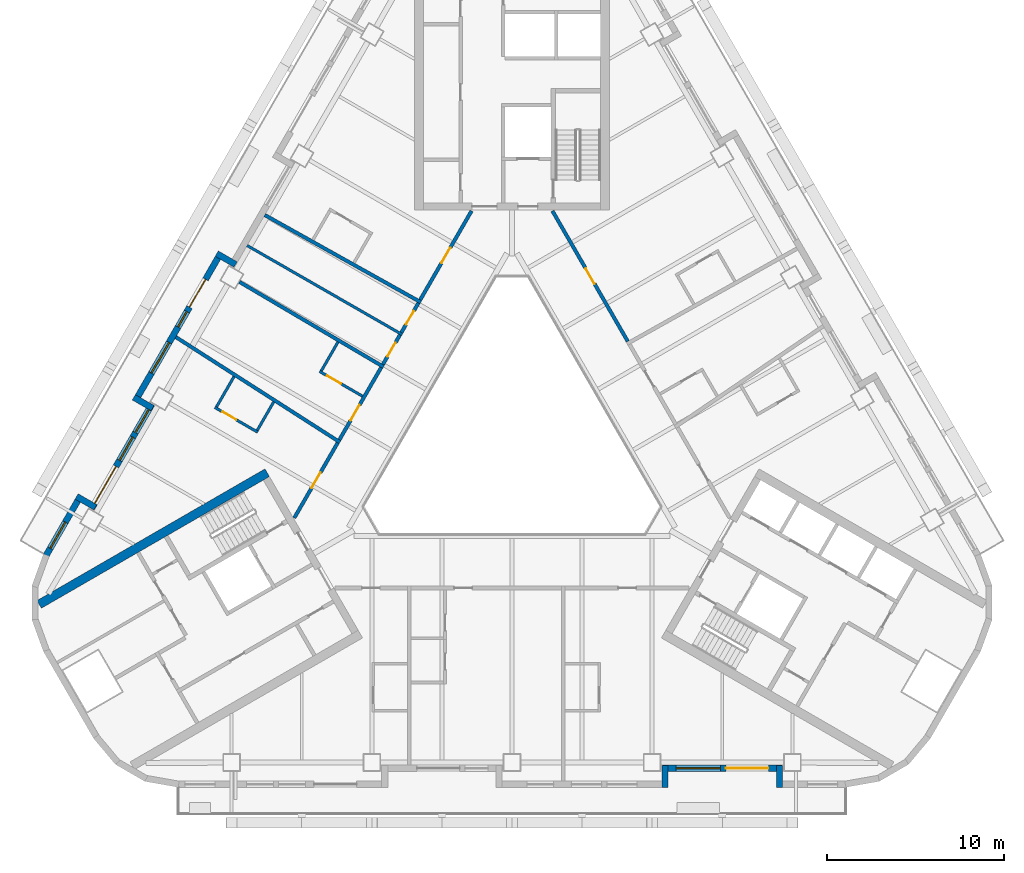
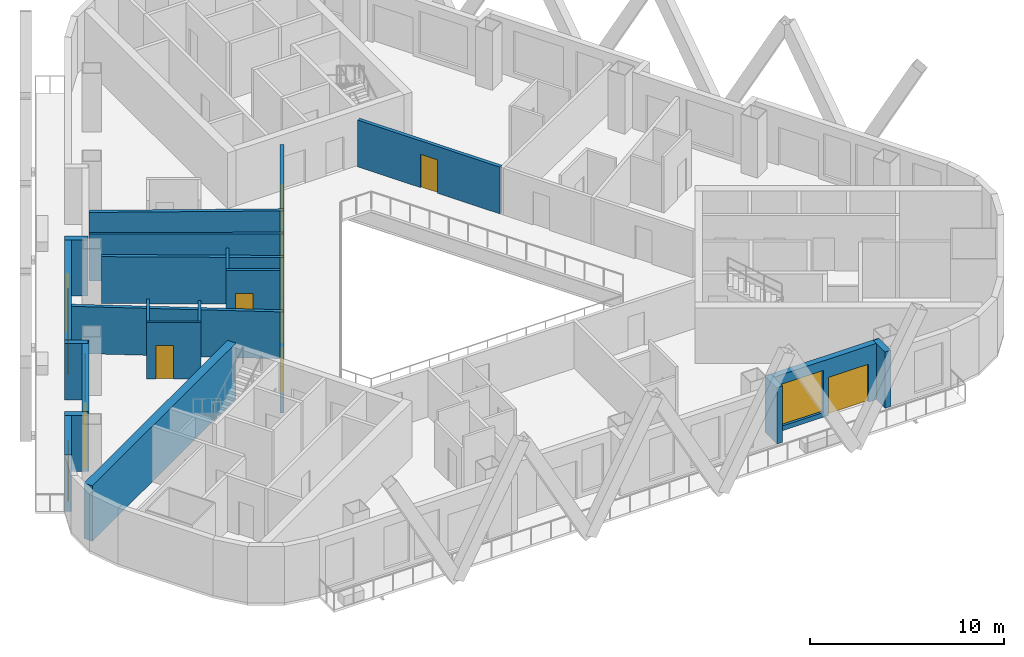
# One storey, part 4 of 14: 25 walls, 11 doors, 6 windows, 17 openings.
"""IFC4 building model written with IfcOpenShell, lengths in metres."""

from ifc_helpers import new_model, si_unit, direction, frame, frame_2d, origin, place, context, subcontext, project, spatial, rectangle, extrude, material, layer, layer_set, type_object, element, fill, save


model = new_model("IFC4")

# Units and contexts
model_context = context("Model", 3, precision=1e-05, world=origin(), true_north=direction((0.0, 1.0)))
body_context = subcontext(model_context, "Body", "Model", "MODEL_VIEW")
ifc_project = project(units=[si_unit("LENGTHUNIT", "METRE"), si_unit("AREAUNIT", "SQUARE_METRE"), si_unit("VOLUMEUNIT", "CUBIC_METRE"), si_unit("PLANEANGLEUNIT", "RADIAN"), si_unit("MASSUNIT", "GRAM", prefix="KILO")], contexts=[model_context])

# Site, building, storey
site_placement = place(None, origin())
site = spatial("IfcSite", under=ifc_project, at=site_placement, CompositionType="ELEMENT")
building_placement = place(site_placement, origin())
building = spatial("IfcBuilding", under=site, at=building_placement, Name="Apuvela Tower Hotel", CompositionType="ELEMENT")
storey_placement = place(building_placement, frame((0.0, 0.0, 53.89990234375)))
storey = spatial("IfcBuildingStorey", under=building, at=storey_placement, Name="L10", CompositionType="ELEMENT", Elevation=53.89990234375)

# Walls
ifc_material_1 = material(Name="Concrete C50/60", Category="concrete")
ifc_layer_1 = layer(ifc_material_1, 0.5)
ifc_layer_set_1 = layer_set([ifc_layer_1], Name="COR-WALL-CORE-500")
wall_type_1 = type_object("IfcWallType", Name="COR-WALL-CORE-500", PredefinedType="SHEAR", material=ifc_layer_set_1)
wall_1_placement = place(storey_placement, frame((-13.796630859375, -1.9033203125, 0.0), z_axis=(0.0, 0.0, 1.0), x_axis=(-0.866025009528, -0.500000682871, 0.0)))
element("IfcWall", 1, at=wall_1_placement, inside=storey, type_object=wall_type_1, Name="Core wall SW", PredefinedType="SHEAR", context=body_context, shape_type="SweptSolid", body=[
    extrude(rectangle(XDim=14.8369140625, YDim=0.5, at=frame_2d((7.41845703125, 0.0))), origin(), (0.0, 0.0, 1.0), 3.5),
])
ifc_material_2 = material(Name="Concrete C40/50, dark pigmented precast panel", Category="concrete")
ifc_layer_2 = layer(ifc_material_2, 0.35009765625)
ifc_layer_set_2 = layer_set([ifc_layer_2], Name="ENV-WALL-350")
wall_type_2 = type_object("IfcWallType", Name="ENV-WALL-350", PredefinedType="SOLIDWALL", material=ifc_layer_set_2)
wall_2_placement = place(storey_placement, frame((-15.580810546875, 9.8330078125, 0.0), z_axis=(0.0, 0.0, 1.0), x_axis=(-0.866055662726, 0.499947586314, 0.0)))
element("IfcWall", 2, at=wall_2_placement, inside=storey, type_object=wall_type_2, Name="External wall L10-04", PredefinedType="SOLIDWALL", context=body_context, shape_type="SweptSolid", body=[
    extrude(rectangle(XDim=1.220458984375, YDim=0.35009765625, at=frame_2d((0.6103515625, 0.0))), origin(), (0.0, 0.0, 1.0), 3.550048828125),
])

# Wall, openings, door, windows
wall_3_placement = place(storey_placement, frame((-16.3984375, 10.507080078125, 0.0), z_axis=(0.0, 0.0, 1.0), x_axis=(-0.499999142773, -0.866025898704, 0.0)))
wall_3 = element("IfcWall", 3, at=wall_3_placement, inside=storey, type_object=wall_type_2, Name="External wall L10-05", PredefinedType="SOLIDWALL", context=body_context, shape_type="SweptSolid", body=[
    extrude(rectangle(XDim=9.7001953125, YDim=0.35009765625, at=frame_2d((4.85009765625, 0.0))), origin(), (0.0, 0.0, 1.0), 3.550048828125),
])
opening_1_placement = place(wall_3_placement, frame((1.750244140625, 0.0, 0.0)))
opening_1 = element("IfcOpeningElement", 4, at=opening_1_placement, cuts=wall_3, Name="Opening BD18", PredefinedType="OPENING", context=body_context, shape_type="SweptSolid", body=[
    extrude(rectangle(XDim=1.800048828125, YDim=2.39990234375, at=frame_2d((0.89990234375, 1.199951171875))), frame((0.0, 0.18505859375, 0.0), z_axis=(0.0, -1.0, 0.0), x_axis=(1.0, 0.0, 0.0)), (0.0, 0.0, 1.0), 0.3701171875),
])
opening_2_placement = place(wall_3_placement, frame((3.85009765625, 0.0, 0.300048828125)))
opening_2 = element("IfcOpeningElement", 5, at=opening_2_placement, cuts=wall_3, Name="Opening WN10", PredefinedType="OPENING", context=body_context, shape_type="SweptSolid", body=[
    extrude(rectangle(XDim=1.0, YDim=2.64990234375, at=frame_2d((0.5, 1.324951171875))), frame((0.0, 0.18505859375, 0.0), z_axis=(0.0, -1.0, 0.0), x_axis=(1.0, 0.0, 0.0)), (0.0, 0.0, 1.0), 0.3701171875),
])
opening_3_placement = place(wall_3_placement, frame((5.85009765625, 0.0, 0.300048828125)))
opening_3 = element("IfcOpeningElement", 6, at=opening_3_placement, cuts=wall_3, Name="Opening WN20", PredefinedType="OPENING", context=body_context, shape_type="SweptSolid", body=[
    extrude(rectangle(XDim=2.0, YDim=2.64990234375, at=frame_2d((1.0, 1.324951171875))), frame((0.0, 0.18505859375, 0.0), z_axis=(0.0, -1.0, 0.0), x_axis=(1.0, 0.0, 0.0)), (0.0, 0.0, 1.0), 0.3701171875),
])
ifc_material_3 = material(Name="Aluminium 6063-T6, dark bronze anodised frame with dark tinted laminated glass", Category="aluminium")
door_type_1 = type_object("IfcDoorType", Name="ENV-DOOR-BALCONY-1800x2400", OperationType="SLIDING_TO_LEFT", PredefinedType="DOOR", material=ifc_material_3)
door_1_placement = place(opening_1_placement, frame((1.800048828125, 0.0, 0.0), z_axis=(0.0, 0.0, 1.0), x_axis=(-1.0, 0.0, 0.0)))
door_1 = element("IfcDoor", 7, at=door_1_placement, inside=storey, type_object=door_type_1, Name="Balcony door BD18", OperationType="SLIDING_TO_LEFT", OverallHeight=2.39990234375, OverallWidth=1.800048828125, PredefinedType="DOOR", context=body_context, shape_type="SweptSolid", body=[
    extrude(rectangle(XDim=1.800048828125, YDim=2.39990234375, at=frame_2d((0.89990234375, 1.199951171875))), frame((0.0, 0.02490234375, 0.0), z_axis=(0.0, -1.0, 0.0), x_axis=(1.0, 0.0, 0.0)), (0.0, 0.0, 1.0), 0.050048828125),
])
fill(opening_1, door_1)
ifc_material_4 = material(Name="Glass, dark tinted laminated insulated glazing unit", Category="glass")
window_type_1 = type_object("IfcWindowType", Name="ENV-WIN-1000x2650", PartitioningType="SINGLE_PANEL", PredefinedType="WINDOW", material=ifc_material_4)
window_1_placement = place(opening_2_placement, origin())
window_1 = element("IfcWindow", 8, at=window_1_placement, inside=storey, type_object=window_type_1, Name="Window WN10", OverallHeight=2.64990234375, OverallWidth=1.0, PartitioningType="SINGLE_PANEL", PredefinedType="WINDOW", context=body_context, shape_type="SweptSolid", body=[
    extrude(rectangle(XDim=1.0, YDim=2.64990234375, at=frame_2d((0.5, 1.324951171875))), frame((0.0, 0.030029296875, 0.0), z_axis=(0.0, -1.0, 0.0), x_axis=(1.0, 0.0, 0.0)), (0.0, 0.0, 1.0), 0.06005859375),
])
fill(opening_2, window_1)
window_type_2 = type_object("IfcWindowType", Name="ENV-WIN-2000x2650", PartitioningType="SINGLE_PANEL", PredefinedType="WINDOW", material=ifc_material_4)
window_2_placement = place(opening_3_placement, origin())
window_2 = element("IfcWindow", 9, at=window_2_placement, inside=storey, type_object=window_type_2, Name="Window WN20", OverallHeight=2.64990234375, OverallWidth=2.0, PartitioningType="SINGLE_PANEL", PredefinedType="WINDOW", context=body_context, shape_type="SweptSolid", body=[
    extrude(rectangle(XDim=2.0, YDim=2.64990234375, at=frame_2d((1.0, 1.324951171875))), frame((0.0, 0.030029296875, 0.0), z_axis=(0.0, -1.0, 0.0), x_axis=(1.0, 0.0, 0.0)), (0.0, 0.0, 1.0), 0.06005859375),
])
fill(opening_3, window_2)

# Wall
wall_4_placement = place(storey_placement, frame((-21.3125, 2.345703125, 0.0), z_axis=(0.0, 0.0, 1.0), x_axis=(0.866005645448, -0.500034220881, 0.0)))
element("IfcWall", 10, at=wall_4_placement, inside=storey, type_object=wall_type_2, Name="External wall L10-06", PredefinedType="SOLIDWALL", context=body_context, shape_type="SweptSolid", body=[
    extrude(rectangle(XDim=1.22021484375, YDim=0.35009765625, at=frame_2d((0.610107421875, 0.0))), origin(), (0.0, 0.0, 1.0), 3.550048828125),
])

# Wall, openings, door, windows
wall_5_placement = place(storey_placement, frame((-20.30908203125, 1.93359375, 0.0), z_axis=(0.0, 0.0, 1.0), x_axis=(-0.499992114976, -0.866029956157, 0.0)))
wall_5 = element("IfcWall", 11, at=wall_5_placement, inside=storey, type_object=wall_type_2, Name="External wall L10-07", PredefinedType="SOLIDWALL", context=body_context, shape_type="SweptSolid", body=[
    extrude(rectangle(XDim=6.73974609375, YDim=0.35009765625, at=frame_2d((3.369873046875, 0.0))), origin(), (0.0, 0.0, 1.0), 3.550048828125),
])
opening_4_placement = place(wall_5_placement, frame((4.02001953125, 0.0, 0.0)))
opening_4 = element("IfcOpeningElement", 12, at=opening_4_placement, cuts=wall_5, Name="Opening BD24", PredefinedType="OPENING", context=body_context, shape_type="SweptSolid", body=[
    extrude(rectangle(XDim=2.39990234375, YDim=2.39990234375, at=frame_2d((1.199951171875, 1.199951171875))), frame((0.0, 0.18505859375, 0.0), z_axis=(0.0, -1.0, 0.0), x_axis=(1.0, 0.0, 0.0)), (0.0, 0.0, 1.0), 0.3701171875),
])
opening_5_placement = place(wall_5_placement, frame((0.320068359375, 0.0, 0.300048828125)))
opening_5 = element("IfcOpeningElement", 13, at=opening_5_placement, cuts=wall_5, Name="Opening WN15", PredefinedType="OPENING", context=body_context, shape_type="SweptSolid", body=[
    extrude(rectangle(XDim=1.5, YDim=2.64990234375, at=frame_2d((0.75, 1.324951171875))), frame((0.0, 0.18505859375, 0.0), z_axis=(0.0, -1.0, 0.0), x_axis=(1.0, 0.0, 0.0)), (0.0, 0.0, 1.0), 0.3701171875),
])
opening_6_placement = place(wall_5_placement, frame((2.1201171875, 0.0, 0.300048828125)))
opening_6 = element("IfcOpeningElement", 14, at=opening_6_placement, cuts=wall_5, Name="Opening WN15", PredefinedType="OPENING", context=body_context, shape_type="SweptSolid", body=[
    extrude(rectangle(XDim=1.5, YDim=2.64990234375, at=frame_2d((0.75, 1.324951171875))), frame((0.0, 0.18505859375, 0.0), z_axis=(0.0, -1.0, 0.0), x_axis=(1.0, 0.0, 0.0)), (0.0, 0.0, 1.0), 0.3701171875),
])
door_type_2 = type_object("IfcDoorType", Name="ENV-DOOR-BALCONY-2400x2400", OperationType="SLIDING_TO_LEFT", PredefinedType="DOOR", material=ifc_material_3)
door_2_placement = place(opening_4_placement, frame((2.39990234375, 0.0, 0.0), z_axis=(0.0, 0.0, 1.0), x_axis=(-1.0, 0.0, 0.0)))
door_2 = element("IfcDoor", 15, at=door_2_placement, inside=storey, type_object=door_type_2, Name="Balcony door BD24", OperationType="SLIDING_TO_LEFT", OverallHeight=2.39990234375, OverallWidth=2.39990234375, PredefinedType="DOOR", context=body_context, shape_type="SweptSolid", body=[
    extrude(rectangle(XDim=2.39990234375, YDim=2.39990234375, at=frame_2d((1.199951171875, 1.199951171875))), frame((0.0, 0.02490234375, 0.0), z_axis=(0.0, -1.0, 0.0), x_axis=(1.0, 0.0, 0.0)), (0.0, 0.0, 1.0), 0.050048828125),
])
fill(opening_4, door_2)
window_type_3 = type_object("IfcWindowType", Name="ENV-WIN-1500x2650", PartitioningType="SINGLE_PANEL", PredefinedType="WINDOW", material=ifc_material_4)
window_3_placement = place(opening_5_placement, origin())
window_3 = element("IfcWindow", 16, at=window_3_placement, inside=storey, type_object=window_type_3, Name="Window WN15", OverallHeight=2.64990234375, OverallWidth=1.5, PartitioningType="SINGLE_PANEL", PredefinedType="WINDOW", context=body_context, shape_type="SweptSolid", body=[
    extrude(rectangle(XDim=1.5, YDim=2.64990234375, at=frame_2d((0.75, 1.324951171875))), frame((0.0, 0.030029296875, 0.0), z_axis=(0.0, -1.0, 0.0), x_axis=(1.0, 0.0, 0.0)), (0.0, 0.0, 1.0), 0.06005859375),
])
fill(opening_5, window_3)
window_4_placement = place(opening_6_placement, origin())
window_4 = element("IfcWindow", 17, at=window_4_placement, inside=storey, type_object=window_type_3, Name="Window WN15", OverallHeight=2.64990234375, OverallWidth=1.5, PartitioningType="SINGLE_PANEL", PredefinedType="WINDOW", context=body_context, shape_type="SweptSolid", body=[
    extrude(rectangle(XDim=1.5, YDim=2.64990234375, at=frame_2d((0.75, 1.324951171875))), frame((0.0, 0.030029296875, 0.0), z_axis=(0.0, -1.0, 0.0), x_axis=(1.0, 0.0, 0.0)), (0.0, 0.0, 1.0), 0.06005859375),
])
fill(opening_6, window_4)

# Wall
wall_6_placement = place(storey_placement, frame((-23.48095703125, -3.85009765625, 0.0), z_axis=(0.0, 0.0, 1.0), x_axis=(-0.866092288191, 0.499884134912, 0.0)))
element("IfcWall", 18, at=wall_6_placement, inside=storey, type_object=wall_type_2, Name="External wall L10-08", PredefinedType="SOLIDWALL", context=body_context, shape_type="SweptSolid", body=[
    extrude(rectangle(XDim=1.219970703125, YDim=0.35009765625, at=frame_2d((0.60986328125, 0.0))), origin(), (0.0, 0.0, 1.0), 3.550048828125),
])

# Wall, opening, window
wall_7_placement = place(storey_placement, frame((-24.298583984375, -3.17626953125, 0.0), z_axis=(0.0, 0.0, 1.0), x_axis=(-0.500028278809, -0.866009076391, 0.0)))
wall_7 = element("IfcWall", 19, at=wall_7_placement, inside=storey, type_object=wall_type_2, Name="External wall L10-09", PredefinedType="SOLIDWALL", context=body_context, shape_type="SweptSolid", body=[
    extrude(rectangle(XDim=3.915771484375, YDim=0.35009765625, at=frame_2d((1.9580078125, 0.0))), origin(), (0.0, 0.0, 1.0), 3.550048828125),
])
opening_7_placement = place(wall_7_placement, frame((1.750244140625, 0.0, 0.300048828125)))
opening_7 = element("IfcOpeningElement", 20, at=opening_7_placement, cuts=wall_7, Name="Opening WN17", PredefinedType="OPENING", context=body_context, shape_type="SweptSolid", body=[
    extrude(rectangle(XDim=1.699951171875, YDim=2.64990234375, at=frame_2d((0.85009765625, 1.324951171875))), frame((0.0, 0.18505859375, 0.0), z_axis=(0.0, -1.0, 0.0), x_axis=(1.0, 0.0, 0.0)), (0.0, 0.0, 1.0), 0.3701171875),
])
window_type_4 = type_object("IfcWindowType", Name="ENV-WIN-1700x2650", PartitioningType="SINGLE_PANEL", PredefinedType="WINDOW", material=ifc_material_4)
window_5_placement = place(opening_7_placement, origin())
window_5 = element("IfcWindow", 21, at=window_5_placement, inside=storey, type_object=window_type_4, Name="Window WN17", OverallHeight=2.64990234375, OverallWidth=1.699951171875, PartitioningType="SINGLE_PANEL", PredefinedType="WINDOW", context=body_context, shape_type="SweptSolid", body=[
    extrude(rectangle(XDim=1.699951171875, YDim=2.64990234375, at=frame_2d((0.85009765625, 1.324951171875))), frame((0.0, 0.030029296875, 0.0), z_axis=(0.0, -1.0, 0.0), x_axis=(1.0, 0.0, 0.0)), (0.0, 0.0, 1.0), 0.06005859375),
])
fill(opening_7, window_5)

# Wall
wall_8_placement = place(storey_placement, frame((8.625, -19.6298828125, 0.0), z_axis=(0.0, 0.0, 1.0), x_axis=(0.0, 1.0, 0.0)))
element("IfcWall", 22, at=wall_8_placement, inside=storey, type_object=wall_type_2, Name="External wall L10-22", PredefinedType="SOLIDWALL", context=body_context, shape_type="SweptSolid", body=[
    extrude(rectangle(XDim=1.219970703125, YDim=0.35009765625, at=frame_2d((0.60986328125, 0.0))), origin(), (0.0, 0.0, 1.0), 3.550048828125),
])

# Wall, openings, door, window
wall_9_placement = place(storey_placement, frame((8.47998046875, -18.554931640625, 0.0), z_axis=(0.0, 0.0, 1.0), x_axis=(1.0, 0.0, 0.0)))
wall_9 = element("IfcWall", 23, at=wall_9_placement, inside=storey, type_object=wall_type_2, Name="External wall L10-23", PredefinedType="SOLIDWALL", context=body_context, shape_type="SweptSolid", body=[
    extrude(rectangle(XDim=6.739990234375, YDim=0.35009765625, at=frame_2d((3.3701171875, 0.0))), origin(), (0.0, 0.0, 1.0), 3.550048828125),
])
opening_8_placement = place(wall_9_placement, frame((3.570068359375, 0.0, 0.0)))
opening_8 = element("IfcOpeningElement", 24, at=opening_8_placement, cuts=wall_9, Name="Opening BD24", PredefinedType="OPENING", context=body_context, shape_type="SweptSolid", body=[
    extrude(rectangle(XDim=2.39990234375, YDim=2.39990234375, at=frame_2d((1.199951171875, 1.199951171875))), frame((0.0, 0.18505859375, 0.0), z_axis=(0.0, -1.0, 0.0), x_axis=(1.0, 0.0, 0.0)), (0.0, 0.0, 1.0), 0.3701171875),
])
opening_9_placement = place(wall_9_placement, frame((0.77001953125, 0.0, 0.300048828125)))
opening_9 = element("IfcOpeningElement", 25, at=opening_9_placement, cuts=wall_9, Name="Opening WN25", PredefinedType="OPENING", context=body_context, shape_type="SweptSolid", body=[
    extrude(rectangle(XDim=2.5, YDim=2.64990234375, at=frame_2d((1.25, 1.324951171875))), frame((0.0, 0.18505859375, 0.0), z_axis=(0.0, -1.0, 0.0), x_axis=(1.0, 0.0, 0.0)), (0.0, 0.0, 1.0), 0.3701171875),
])
door_3_placement = place(opening_8_placement, frame((2.39990234375, 0.0, 0.0), z_axis=(0.0, 0.0, 1.0), x_axis=(-1.0, 0.0, 0.0)))
door_3 = element("IfcDoor", 26, at=door_3_placement, inside=storey, type_object=door_type_2, Name="Balcony door BD24", OperationType="SLIDING_TO_LEFT", OverallHeight=2.39990234375, OverallWidth=2.39990234375, PredefinedType="DOOR", context=body_context, shape_type="SweptSolid", body=[
    extrude(rectangle(XDim=2.39990234375, YDim=2.39990234375, at=frame_2d((1.199951171875, 1.199951171875))), frame((0.0, 0.02490234375, 0.0), z_axis=(0.0, -1.0, 0.0), x_axis=(1.0, 0.0, 0.0)), (0.0, 0.0, 1.0), 0.050048828125),
])
fill(opening_8, door_3)
window_type_5 = type_object("IfcWindowType", Name="ENV-WIN-2500x2650", PartitioningType="SINGLE_PANEL", PredefinedType="WINDOW", material=ifc_material_4)
window_6_placement = place(opening_9_placement, origin())
window_6 = element("IfcWindow", 27, at=window_6_placement, inside=storey, type_object=window_type_5, Name="Window WN25", OverallHeight=2.64990234375, OverallWidth=2.5, PartitioningType="SINGLE_PANEL", PredefinedType="WINDOW", context=body_context, shape_type="SweptSolid", body=[
    extrude(rectangle(XDim=2.5, YDim=2.64990234375, at=frame_2d((1.25, 1.324951171875))), frame((0.0, 0.030029296875, 0.0), z_axis=(0.0, -1.0, 0.0), x_axis=(1.0, 0.0, 0.0)), (0.0, 0.0, 1.0), 0.06005859375),
])
fill(opening_9, window_6)

# Walls
wall_10_placement = place(storey_placement, frame((15.074951171875, -18.409912109375, 0.0), z_axis=(0.0, 0.0, 1.0), x_axis=(0.0, -1.0, 0.0)))
element("IfcWall", 28, at=wall_10_placement, inside=storey, type_object=wall_type_2, Name="External wall L10-24", PredefinedType="SOLIDWALL", context=body_context, shape_type="SweptSolid", body=[
    extrude(rectangle(XDim=1.219970703125, YDim=0.35009765625, at=frame_2d((0.60986328125, 0.0))), origin(), (0.0, 0.0, 1.0), 3.550048828125),
])
ifc_material_5 = material(Name="Gypsum board partition on twin steel stud", Category="steel")
ifc_layer_3 = layer(ifc_material_5, 0.199951171875)
ifc_layer_set_3 = layer_set([ifc_layer_3], Name="GST-PW1")
wall_type_3 = type_object("IfcWallType", Name="GST-PW1", PredefinedType="PARTITIONING", material=ifc_layer_set_3)
wall_11_placement = place(storey_placement, frame((-13.936279296875, 12.62158203125, 0.0), z_axis=(0.0, 0.0, 1.0), x_axis=(0.872898889426, -0.487901146585, 0.0)))
element("IfcWall", 29, at=wall_11_placement, inside=storey, type_object=wall_type_3, Name="L10 partition 05", PredefinedType="PARTITIONING", context=body_context, shape_type="SweptSolid", body=[
    extrude(rectangle(XDim=10.080810546875, YDim=0.199951171875, at=frame_2d((5.04052734375, 0.0))), origin(), (0.0, 0.0, 1.0), 2.9501953125),
])
wall_12_placement = place(storey_placement, frame((-15.36181640625, 8.8525390625, 0.0), z_axis=(0.0, 0.0, 1.0), x_axis=(0.861347313363, -0.508016540835, 0.0)))
element("IfcWall", 30, at=wall_12_placement, inside=storey, type_object=wall_type_3, Name="L10 partition 06", PredefinedType="PARTITIONING", context=body_context, shape_type="SweptSolid", body=[
    extrude(rectangle(XDim=9.430419921875, YDim=0.199951171875, at=frame_2d((4.71533203125, 0.0))), origin(), (0.0, 0.0, 1.0), 2.9501953125),
])
wall_13_placement = place(storey_placement, frame((-18.947021484375, 5.742919921875, 0.0), z_axis=(0.0, 0.0, 1.0), x_axis=(0.84192674528, -0.539591841657, 0.0)))
element("IfcWall", 31, at=wall_13_placement, inside=storey, type_object=wall_type_3, Name="L10 partition 07", PredefinedType="PARTITIONING", context=body_context, shape_type="SweptSolid", body=[
    extrude(rectangle(XDim=10.991943359375, YDim=0.199951171875, at=frame_2d((5.49609375, 0.0))), origin(), (0.0, 0.0, 1.0), 2.960205078125),
])

# Wall, opening, door
ifc_material_6 = material(Name="Gypsum board corridor wall on twin steel stud, acoustic", Category="steel")
ifc_layer_4 = layer(ifc_material_6, 0.199951171875)
ifc_layer_set_4 = layer_set([ifc_layer_4], Name="GST-PW2")
wall_type_4 = type_object("IfcWallType", Name="GST-PW2", PredefinedType="PARTITIONING", material=ifc_layer_set_4)
wall_14_placement = place(storey_placement, frame((2.280517578125, 12.85009765625, 0.0), z_axis=(0.0, 0.0, 1.0), x_axis=(0.499997198377, -0.866027021296, 0.0)))
wall_14 = element("IfcWall", 32, at=wall_14_placement, inside=storey, type_object=wall_type_4, Name="L10 partition 28", PredefinedType="PARTITIONING", context=body_context, shape_type="SweptSolid", body=[
    extrude(rectangle(XDim=8.48681640625, YDim=0.199951171875, at=frame_2d((4.243408203125, 0.0))), origin(), (0.0, 0.0, 1.0), 2.9501953125),
])
opening_10_placement = place(wall_14_placement, frame((3.743408203125, 0.0, 0.0)))
opening_10 = element("IfcOpeningElement", 33, at=opening_10_placement, cuts=wall_14, Name="Opening GD02-13", PredefinedType="OPENING", context=body_context, shape_type="SweptSolid", body=[
    extrude(rectangle(XDim=1.0, YDim=2.10009765625, at=frame_2d((0.5, 1.050048828125))), frame((0.0, 0.10986328125, 0.0), z_axis=(0.0, -1.0, 0.0), x_axis=(1.0, 0.0, 0.0)), (0.0, 0.0, 1.0), 0.219970703125),
])
ifc_material_7 = material(Name="Timber door leaf in steel frame", Category="steel")
door_type_3 = type_object("IfcDoorType", Name="GST-D1", OperationType="NOTDEFINED", PredefinedType="DOOR", material=ifc_material_7)
door_4_placement = place(opening_10_placement, origin())
door_4 = element("IfcDoor", 34, at=door_4_placement, inside=storey, type_object=door_type_3, Name="Door L10-13", OperationType="SINGLE_SWING_RIGHT", OverallHeight=2.10009765625, OverallWidth=1.0, PredefinedType="DOOR", context=body_context, shape_type="SweptSolid", body=[
    extrude(rectangle(XDim=1.0, YDim=2.10009765625, at=frame_2d((0.5, 1.050048828125))), frame((0.0, 0.02490234375, 0.0), z_axis=(0.0, -1.0, 0.0), x_axis=(1.0, 0.0, 0.0)), (0.0, 0.0, 1.0), 0.050048828125),
])
fill(opening_10, door_4)

wall_15_placement = place(storey_placement, frame((-5.173828125, 7.83837890625, 0.0), z_axis=(0.0, 0.0, 1.0), x_axis=(0.499973220989, 0.866040864101, 0.0)))
wall_15 = element("IfcWall", 35, at=wall_15_placement, inside=storey, type_object=wall_type_4, Name="L10 partition 32", PredefinedType="PARTITIONING", context=body_context, shape_type="SweptSolid", body=[
    extrude(rectangle(XDim=5.786865234375, YDim=0.199951171875, at=frame_2d((2.8935546875, 0.0))), origin(), (0.0, 0.0, 1.0), 2.9501953125),
])
opening_11_placement = place(wall_15_placement, frame((2.393310546875, 0.0, 0.0)))
opening_11 = element("IfcOpeningElement", 36, at=opening_11_placement, cuts=wall_15, Name="Opening GD02-15", PredefinedType="OPENING", context=body_context, shape_type="SweptSolid", body=[
    extrude(rectangle(XDim=1.0, YDim=2.10009765625, at=frame_2d((0.5, 1.050048828125))), frame((0.0, 0.10986328125, 0.0), z_axis=(0.0, -1.0, 0.0), x_axis=(1.0, 0.0, 0.0)), (0.0, 0.0, 1.0), 0.219970703125),
])
door_5_placement = place(opening_11_placement, origin())
door_5 = element("IfcDoor", 37, at=door_5_placement, inside=storey, type_object=door_type_3, Name="Door L10-15", OperationType="SINGLE_SWING_LEFT", OverallHeight=2.10009765625, OverallWidth=1.0, PredefinedType="DOOR", context=body_context, shape_type="SweptSolid", body=[
    extrude(rectangle(XDim=1.0, YDim=2.10009765625, at=frame_2d((0.5, 1.050048828125))), frame((0.0, 0.02490234375, 0.0), z_axis=(0.0, -1.0, 0.0), x_axis=(1.0, 0.0, 0.0)), (0.0, 0.0, 1.0), 0.050048828125),
])
fill(opening_11, door_5)

wall_16_placement = place(storey_placement, frame((-6.237060546875, 5.997314453125, 0.0), z_axis=(0.0, 0.0, 1.0), x_axis=(0.500051616692, 0.865995600822, 0.0)))
wall_16 = element("IfcWall", 38, at=wall_16_placement, inside=storey, type_object=wall_type_4, Name="L10 partition 37", PredefinedType="PARTITIONING", context=body_context, shape_type="SweptSolid", body=[
    extrude(rectangle(XDim=1.926025390625, YDim=0.199951171875, at=frame_2d((0.962890625, 0.0))), origin(), (0.0, 0.0, 1.0), 2.9501953125),
])
opening_12_placement = place(wall_16_placement, frame((0.51318359375, 0.0, 0.0)))
opening_12 = element("IfcOpeningElement", 39, at=opening_12_placement, cuts=wall_16, Name="Opening GD02-16", PredefinedType="OPENING", context=body_context, shape_type="SweptSolid", body=[
    extrude(rectangle(XDim=0.89990234375, YDim=2.10009765625, at=frame_2d((0.449951171875, 1.050048828125))), frame((0.0, 0.10986328125, 0.0), z_axis=(0.0, -1.0, 0.0), x_axis=(1.0, 0.0, 0.0)), (0.0, 0.0, 1.0), 0.219970703125),
])
door_type_4 = type_object("IfcDoorType", Name="GST-D2", OperationType="NOTDEFINED", PredefinedType="DOOR", material=ifc_material_7)
door_6_placement = place(opening_12_placement, origin())
door_6 = element("IfcDoor", 40, at=door_6_placement, inside=storey, type_object=door_type_4, Name="Door L10-16", OperationType="SINGLE_SWING_LEFT", OverallHeight=2.10009765625, OverallWidth=0.89990234375, PredefinedType="DOOR", context=body_context, shape_type="SweptSolid", body=[
    extrude(rectangle(XDim=0.89990234375, YDim=2.10009765625, at=frame_2d((0.449951171875, 1.050048828125))), frame((0.0, 0.02490234375, 0.0), z_axis=(0.0, -1.0, 0.0), x_axis=(1.0, 0.0, 0.0)), (0.0, 0.0, 1.0), 0.050048828125),
])
fill(opening_12, door_6)

wall_17_placement = place(storey_placement, frame((-7.275146484375, 4.19921875, 0.0), z_axis=(0.0, 0.0, 1.0), x_axis=(0.500051616692, 0.865995600822, 0.0)))
wall_17 = element("IfcWall", 41, at=wall_17_placement, inside=storey, type_object=wall_type_4, Name="L10 partition 38", PredefinedType="PARTITIONING", context=body_context, shape_type="SweptSolid", body=[
    extrude(rectangle(XDim=1.926025390625, YDim=0.199951171875, at=frame_2d((0.962890625, 0.0))), origin(), (0.0, 0.0, 1.0), 2.9501953125),
])
opening_13_placement = place(wall_17_placement, frame((0.51318359375, 0.0, 0.0)))
opening_13 = element("IfcOpeningElement", 42, at=opening_13_placement, cuts=wall_17, Name="Opening GD02-17", PredefinedType="OPENING", context=body_context, shape_type="SweptSolid", body=[
    extrude(rectangle(XDim=0.89990234375, YDim=2.10009765625, at=frame_2d((0.449951171875, 1.050048828125))), frame((0.0, 0.10986328125, 0.0), z_axis=(0.0, -1.0, 0.0), x_axis=(1.0, 0.0, 0.0)), (0.0, 0.0, 1.0), 0.219970703125),
])
door_7_placement = place(opening_13_placement, origin())
door_7 = element("IfcDoor", 43, at=door_7_placement, inside=storey, type_object=door_type_4, Name="Door L10-17", OperationType="SINGLE_SWING_RIGHT", OverallHeight=2.10009765625, OverallWidth=0.89990234375, PredefinedType="DOOR", context=body_context, shape_type="SweptSolid", body=[
    extrude(rectangle(XDim=0.89990234375, YDim=2.10009765625, at=frame_2d((0.449951171875, 1.050048828125))), frame((0.0, 0.02490234375, 0.0), z_axis=(0.0, -1.0, 0.0), x_axis=(1.0, 0.0, 0.0)), (0.0, 0.0, 1.0), 0.050048828125),
])
fill(opening_13, door_7)

wall_18_placement = place(storey_placement, frame((-9.726806640625, -0.04736328125, 0.0), z_axis=(0.0, 0.0, 1.0), x_axis=(0.500019002036, 0.866014432676, 0.0)))
wall_18 = element("IfcWall", 44, at=wall_18_placement, inside=storey, type_object=wall_type_4, Name="L10 partition 39", PredefinedType="PARTITIONING", context=body_context, shape_type="SweptSolid", body=[
    extrude(rectangle(XDim=4.703369140625, YDim=0.199951171875, at=frame_2d((2.3515625, 0.0))), origin(), (0.0, 0.0, 1.0), 2.9501953125),
])
opening_14_placement = place(wall_18_placement, frame((1.25439453125, 0.0, 0.0)))
opening_14 = element("IfcOpeningElement", 45, at=opening_14_placement, cuts=wall_18, Name="Opening GD02-19", PredefinedType="OPENING", context=body_context, shape_type="SweptSolid", body=[
    extrude(rectangle(XDim=1.0, YDim=2.10009765625, at=frame_2d((0.5, 1.050048828125))), frame((0.0, 0.10986328125, 0.0), z_axis=(0.0, -1.0, 0.0), x_axis=(1.0, 0.0, 0.0)), (0.0, 0.0, 1.0), 0.219970703125),
])
door_8_placement = place(opening_14_placement, origin())
door_8 = element("IfcDoor", 46, at=door_8_placement, inside=storey, type_object=door_type_3, Name="Door L10-19", OperationType="SINGLE_SWING_LEFT", OverallHeight=2.10009765625, OverallWidth=1.0, PredefinedType="DOOR", context=body_context, shape_type="SweptSolid", body=[
    extrude(rectangle(XDim=1.0, YDim=2.10009765625, at=frame_2d((0.5, 1.050048828125))), frame((0.0, 0.02490234375, 0.0), z_axis=(0.0, -1.0, 0.0), x_axis=(1.0, 0.0, 0.0)), (0.0, 0.0, 1.0), 0.050048828125),
])
fill(opening_14, door_8)

wall_19_placement = place(storey_placement, frame((-12.268798828125, -4.449951171875, 0.0), z_axis=(0.0, 0.0, 1.0), x_axis=(0.500021044785, 0.866013253231, 0.0)))
wall_19 = element("IfcWall", 47, at=wall_19_placement, inside=storey, type_object=wall_type_4, Name="L10 partition 42", PredefinedType="PARTITIONING", context=body_context, shape_type="SweptSolid", body=[
    extrude(rectangle(XDim=4.883544921875, YDim=0.199951171875, at=frame_2d((2.44189453125, 0.0))), origin(), (0.0, 0.0, 1.0), 2.9501953125),
])
opening_15_placement = place(wall_19_placement, frame((1.941650390625, 0.0, 0.0)))
opening_15 = element("IfcOpeningElement", 48, at=opening_15_placement, cuts=wall_19, Name="Opening GD02-21", PredefinedType="OPENING", context=body_context, shape_type="SweptSolid", body=[
    extrude(rectangle(XDim=1.0, YDim=2.10009765625, at=frame_2d((0.5, 1.050048828125))), frame((0.0, 0.10986328125, 0.0), z_axis=(0.0, -1.0, 0.0), x_axis=(1.0, 0.0, 0.0)), (0.0, 0.0, 1.0), 0.219970703125),
])
door_9_placement = place(opening_15_placement, origin())
door_9 = element("IfcDoor", 49, at=door_9_placement, inside=storey, type_object=door_type_3, Name="Door L10-21", OperationType="SINGLE_SWING_RIGHT", OverallHeight=2.10009765625, OverallWidth=1.0, PredefinedType="DOOR", context=body_context, shape_type="SweptSolid", body=[
    extrude(rectangle(XDim=1.0, YDim=2.10009765625, at=frame_2d((0.5, 1.050048828125))), frame((0.0, 0.02490234375, 0.0), z_axis=(0.0, -1.0, 0.0), x_axis=(1.0, 0.0, 0.0)), (0.0, 0.0, 1.0), 0.050048828125),
])
fill(opening_15, door_9)

# Wall
ifc_material_8 = material(Name="Moisture-resistant gypsum board wet wall on steel stud", Category="steel")
ifc_layer_5 = layer(ifc_material_8, 0.14990234375)
ifc_layer_set_5 = layer_set([ifc_layer_5], Name="GST-PW3")
wall_type_5 = type_object("IfcWallType", Name="GST-PW3", PredefinedType="PARTITIONING", material=ifc_layer_set_5)
wall_20_placement = place(storey_placement, frame((-14.928955078125, 10.902099609375, 0.0), z_axis=(0.0, 0.0, 1.0), x_axis=(0.867191892367, -0.497974117614, 0.0)))
element("IfcWall", 50, at=wall_20_placement, inside=storey, type_object=wall_type_5, Name="L10 partition 36", PredefinedType="PARTITIONING", context=body_context, shape_type="SweptSolid", body=[
    extrude(rectangle(XDim=10.079833984375, YDim=0.14990234375, at=frame_2d((5.0400390625, 0.0))), origin(), (0.0, 0.0, 1.0), 2.960205078125),
])

# Wall, opening, door
wall_21_placement = place(storey_placement, frame((-10.8486328125, 3.809814453125, 0.0), z_axis=(0.0, 0.0, 1.0), x_axis=(0.866018616679, -0.500011755427, 0.0)))
wall_21 = element("IfcWall", 51, at=wall_21_placement, inside=storey, type_object=wall_type_5, Name="L10 partition 40", PredefinedType="PARTITIONING", context=body_context, shape_type="SweptSolid", body=[
    extrude(rectangle(XDim=2.80029296875, YDim=0.14990234375, at=frame_2d((1.400146484375, 0.0))), origin(), (0.0, 0.0, 1.0), 3.550048828125),
])
opening_16_placement = place(wall_21_placement, frame((0.5, 0.0, 0.0)))
opening_16 = element("IfcOpeningElement", 52, at=opening_16_placement, cuts=wall_21, Name="Opening GD02-18", PredefinedType="OPENING", context=body_context, shape_type="SweptSolid", body=[
    extrude(rectangle(XDim=0.89990234375, YDim=2.10009765625, at=frame_2d((0.449951171875, 1.050048828125))), frame((0.0, 0.0849609375, 0.0), z_axis=(0.0, -1.0, 0.0), x_axis=(1.0, 0.0, 0.0)), (0.0, 0.0, 1.0), 0.169921875),
])
door_10_placement = place(opening_16_placement, origin())
door_10 = element("IfcDoor", 53, at=door_10_placement, inside=storey, type_object=door_type_4, Name="Door L10-18", OperationType="SINGLE_SWING_LEFT", OverallHeight=2.10009765625, OverallWidth=0.89990234375, PredefinedType="DOOR", context=body_context, shape_type="SweptSolid", body=[
    extrude(rectangle(XDim=0.89990234375, YDim=2.10009765625, at=frame_2d((0.449951171875, 1.050048828125))), frame((0.0, 0.02490234375, 0.0), z_axis=(0.0, -1.0, 0.0), x_axis=(1.0, 0.0, 0.0)), (0.0, 0.0, 1.0), 0.050048828125),
])
fill(opening_16, door_10)

# Wall
wall_22_placement = place(storey_placement, frame((-9.80859375, 5.461181640625, 0.0), z_axis=(0.0, 0.0, 1.0), x_axis=(-0.499947857008, -0.866055506462, 0.0)))
element("IfcWall", 54, at=wall_22_placement, inside=storey, type_object=wall_type_5, Name="L10 partition 41", PredefinedType="PARTITIONING", context=body_context, shape_type="SweptSolid", body=[
    extrude(rectangle(XDim=1.875244140625, YDim=0.14990234375, at=frame_2d((0.9375, 0.0))), origin(), (0.0, 0.0, 1.0), 3.550048828125),
])

# Wall, opening, door
wall_23_placement = place(storey_placement, frame((-16.75439453125, 1.78076171875, 0.0), z_axis=(0.0, 0.0, 1.0), x_axis=(0.866056369097, -0.49994636267, 0.0)))
wall_23 = element("IfcWall", 55, at=wall_23_placement, inside=storey, type_object=wall_type_5, Name="L10 partition 43", PredefinedType="PARTITIONING", context=body_context, shape_type="SweptSolid", body=[
    extrude(rectangle(XDim=2.800048828125, YDim=0.14990234375, at=frame_2d((1.39990234375, 0.0))), origin(), (0.0, 0.0, 1.0), 3.550048828125),
])
opening_17_placement = place(wall_23_placement, frame((0.5, 0.0, 0.0)))
opening_17 = element("IfcOpeningElement", 56, at=opening_17_placement, cuts=wall_23, Name="Opening GD02-20", PredefinedType="OPENING", context=body_context, shape_type="SweptSolid", body=[
    extrude(rectangle(XDim=0.89990234375, YDim=2.10009765625, at=frame_2d((0.449951171875, 1.050048828125))), frame((0.0, 0.0849609375, 0.0), z_axis=(0.0, -1.0, 0.0), x_axis=(1.0, 0.0, 0.0)), (0.0, 0.0, 1.0), 0.169921875),
])
door_11_placement = place(opening_17_placement, origin())
door_11 = element("IfcDoor", 57, at=door_11_placement, inside=storey, type_object=door_type_4, Name="Door L10-20", OperationType="SINGLE_SWING_LEFT", OverallHeight=2.10009765625, OverallWidth=0.89990234375, PredefinedType="DOOR", context=body_context, shape_type="SweptSolid", body=[
    extrude(rectangle(XDim=0.89990234375, YDim=2.10009765625, at=frame_2d((0.449951171875, 1.050048828125))), frame((0.0, 0.02490234375, 0.0), z_axis=(0.0, -1.0, 0.0), x_axis=(1.0, 0.0, 0.0)), (0.0, 0.0, 1.0), 0.050048828125),
])
fill(opening_17, door_11)

# Walls
wall_24_placement = place(storey_placement, frame((-15.66357421875, 3.519775390625, 0.0), z_axis=(0.0, 0.0, 1.0), x_axis=(-0.500018274647, -0.866014852655, 0.0)))
element("IfcWall", 58, at=wall_24_placement, inside=storey, type_object=wall_type_5, Name="L10 partition 44", PredefinedType="PARTITIONING", context=body_context, shape_type="SweptSolid", body=[
    extrude(rectangle(XDim=1.9765625, YDim=0.14990234375, at=frame_2d((0.98828125, 0.0))), origin(), (0.0, 0.0, 1.0), 3.550048828125),
])
wall_25_placement = place(storey_placement, frame((-13.43017578125, 2.08837890625, 0.0), z_axis=(0.0, 0.0, 1.0), x_axis=(-0.499893495202, -0.866086885627, 0.0)))
element("IfcWall", 59, at=wall_25_placement, inside=storey, type_object=wall_type_5, Name="L10 partition 45", PredefinedType="PARTITIONING", context=body_context, shape_type="SweptSolid", body=[
    extrude(rectangle(XDim=1.853515625, YDim=0.14990234375, at=frame_2d((0.9267578125, 0.0))), origin(), (0.0, 0.0, 1.0), 3.550048828125),
])

save(model, "model.ifc")
